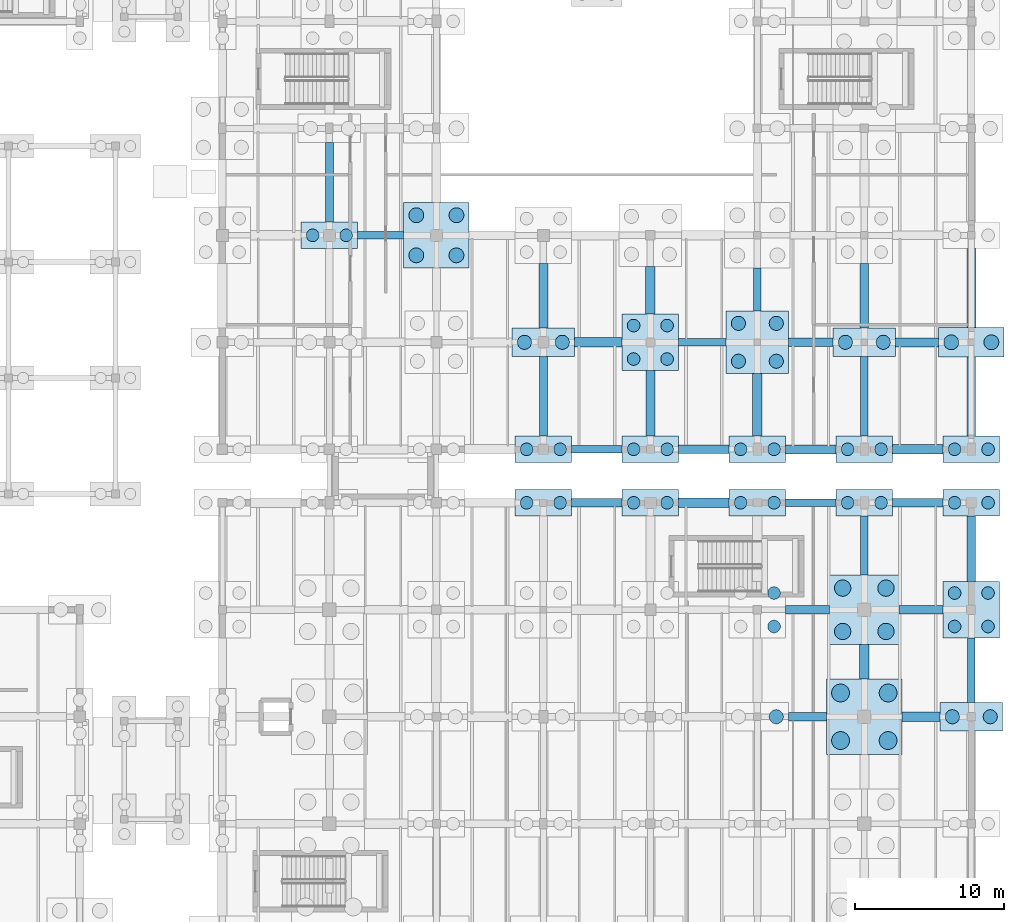
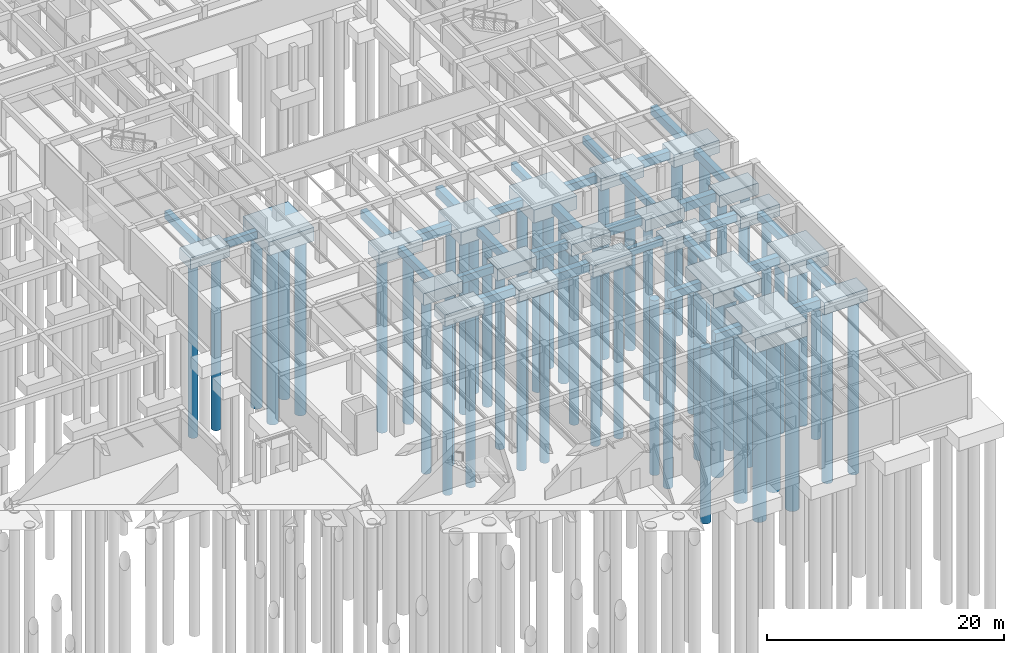
# One storey, part 14 of 63: 57 piles, 53 footings.
"""IFC4 building model written with IfcOpenShell, lengths in metres."""

from ifc_helpers import new_model, si_unit, direction, frame, origin, origin_2d, place, context, subcontext, project, spatial, rectangle, circle, extrude, material, material_profile, profile_set, type_object, element, save


model = new_model("IFC4")

# Units and contexts
model_context = context("Model", 3, precision=1e-05, world=origin(), true_north=direction((0.0, 1.0)))
body_context = subcontext(model_context, "Body", "Model", "MODEL_VIEW")
ifc_project = project(units=[si_unit("LENGTHUNIT", "METRE"), si_unit("AREAUNIT", "SQUARE_METRE"), si_unit("VOLUMEUNIT", "CUBIC_METRE"), si_unit("PLANEANGLEUNIT", "RADIAN"), si_unit("MASSUNIT", "GRAM", prefix="KILO")], contexts=[model_context])

# Site, building, storey
site_placement = place(None, origin())
site = spatial("IfcSite", under=ifc_project, at=site_placement, CompositionType="ELEMENT")
building_placement = place(site_placement, origin())
building = spatial("IfcBuilding", under=site, at=building_placement, Name="Mazaris Harbour Polytechnic", CompositionType="ELEMENT")
storey_placement = place(building_placement, frame((0.0, 0.0, -4.5)))
storey = spatial("IfcBuildingStorey", under=building, at=storey_placement, Name="B1", CompositionType="ELEMENT", Elevation=-4.5)

# Piles
ifc_material_1 = material(Name="Concrete C35/45", Category="concrete")
ifc_material_profile_1 = material_profile(ifc_material_1, circle(Radius=0.5, at=origin_2d()), Name="DIA1000")
ifc_profile_set_1 = profile_set([ifc_material_profile_1], Name="Concrete C35/45")
pile_type_1 = type_object("IfcPileType", Name="Bored Pile 1000", PredefinedType="BORED", material=ifc_profile_set_1)
for number, where, z_axis, x_axis, name in (
    (1, (135.449951171875, 59.85009765625, -1.719970703125), (0.0, 0.0, -1.0), (1.0, 0.0, 0.0), "Bored Pile BP-262-1"),
    (2, (138.14990234375, 59.85009765625, -1.719970703125), (0.0, 0.0, -1.0), (1.0, 0.0, 0.0), "Bored Pile BP-262-2"),
    (3, (135.449951171875, 62.550048828125, -1.719970703125), (0.0, 0.0, -1.0), (1.0, 0.0, 0.0), "Bored Pile BP-262-3"),
    (4, (138.14990234375, 62.550048828125, -1.719970703125), (0.0, 0.0, -1.0), (1.0, 0.0, 0.0), "Bored Pile BP-262-4"),
    (5, (171.449951171875, 54.0, -1.6201171875), (0.0, 0.0, -1.0), (1.0, 0.0, 0.0), "Bored Pile BP-305-1"),
    (6, (174.14990234375, 54.0, -1.6201171875), (0.0, 0.0, -1.0), (1.0, 0.0, 0.0), "Bored Pile BP-305-2"),
):
    element("IfcPile", number, at=place(storey_placement, frame(where, z_axis=z_axis, x_axis=x_axis)), inside=storey, type_object=pile_type_1, Name=name, PredefinedType="BORED", context=body_context, shape_type="SweptSolid", body=[
        extrude(circle(Radius=0.5, at=origin_2d()), origin(), (0.0, 0.0, 1.0), 18.0),
    ])
ifc_material_2 = material(Name="Concrete C35/45", Category="concrete")
ifc_material_profile_2 = material_profile(ifc_material_2, circle(Radius=0.550048828125, at=origin_2d()), Name="DIA1100")
ifc_profile_set_2 = profile_set([ifc_material_profile_2], Name="Concrete C35/45")
pile_type_2 = type_object("IfcPileType", Name="Bored Pile 1100", PredefinedType="BORED", material=ifc_profile_set_2)
for number, where, z_axis, x_axis, name in (
    (7, (164.142578125, 34.54248046875, -1.820068359375), (0.0, 0.0, -1.0), (1.0, 0.0, 0.0), "Bored Pile BP-104-1"),
    (8, (167.0576171875, 34.54248046875, -1.820068359375), (0.0, 0.0, -1.0), (1.0, 0.0, 0.0), "Bored Pile BP-104-2"),
    (9, (164.142578125, 37.45751953125, -1.820068359375), (0.0, 0.0, -1.0), (1.0, 0.0, 0.0), "Bored Pile BP-104-3"),
    (10, (167.0576171875, 37.45751953125, -1.820068359375), (0.0, 0.0, -1.0), (1.0, 0.0, 0.0), "Bored Pile BP-104-4"),
):
    element("IfcPile", number, at=place(storey_placement, frame(where, z_axis=z_axis, x_axis=x_axis)), inside=storey, type_object=pile_type_2, Name=name, PredefinedType="BORED", context=body_context, shape_type="SweptSolid", body=[
        extrude(circle(Radius=0.550048828125, at=origin_2d()), origin(), (0.0, 0.0, 1.0), 18.0),
    ])
ifc_material_3 = material(Name="Concrete C35/45", Category="concrete")
ifc_material_profile_3 = material_profile(ifc_material_3, circle(Radius=0.60009765625, at=origin_2d()), Name="DIA1200")
ifc_profile_set_3 = profile_set([ifc_material_profile_3], Name="Concrete C35/45")
pile_type_3 = type_object("IfcPileType", Name="Bored Pile 1200", PredefinedType="BORED", material=ifc_profile_set_3)
for number, where, z_axis, x_axis, name in (
    (11, (164.0, 27.199951171875, -1.8701171875), (0.0, 0.0, -1.0), (1.0, 0.0, 0.0), "Bored Pile BP-103-1"),
    (12, (167.199951171875, 27.199951171875, -1.8701171875), (0.0, 0.0, -1.0), (1.0, 0.0, 0.0), "Bored Pile BP-103-2"),
    (13, (164.0, 30.39990234375, -1.8701171875), (0.0, 0.0, -1.0), (1.0, 0.0, 0.0), "Bored Pile BP-103-3"),
    (14, (167.199951171875, 30.39990234375, -1.8701171875), (0.0, 0.0, -1.0), (1.0, 0.0, 0.0), "Bored Pile BP-103-4"),
):
    element("IfcPile", number, at=place(storey_placement, frame(where, z_axis=z_axis, x_axis=x_axis)), inside=storey, type_object=pile_type_3, Name=name, PredefinedType="BORED", context=body_context, shape_type="SweptSolid", body=[
        extrude(circle(Radius=0.60009765625, at=origin_2d()), origin(), (0.0, 0.0, 1.0), 18.0),
    ])
ifc_material_4 = material(Name="Concrete C35/45", Category="concrete")
ifc_material_profile_4 = material_profile(ifc_material_4, circle(Radius=0.425048828125, at=origin_2d()), Name="DIA850")
ifc_profile_set_4 = profile_set([ifc_material_profile_4], Name="Concrete C35/45")
pile_type_4 = type_object("IfcPileType", Name="Bored Pile 850", PredefinedType="BORED", material=ifc_profile_set_4)
for number, where, z_axis, x_axis, name in (
    (15, (142.873779296875, 43.199951171875, -1.52001953125), (0.0, 0.0, -1.0), (1.0, 0.0, 0.0), "Bored Pile BP-087-1"),
    (16, (145.126220703125, 43.199951171875, -1.52001953125), (0.0, 0.0, -1.0), (1.0, 0.0, 0.0), "Bored Pile BP-087-2"),
    (17, (150.07373046875, 43.199951171875, -1.52001953125), (0.0, 0.0, -1.0), (1.0, 0.0, 0.0), "Bored Pile BP-093-1"),
    (18, (152.326171875, 43.199951171875, -1.52001953125), (0.0, 0.0, -1.0), (1.0, 0.0, 0.0), "Bored Pile BP-093-2"),
    (19, (159.526123046875, 34.873779296875, -1.6201171875), (0.0, 0.0, -1.0), (1.0, 0.0, 0.0), "Bored Pile BP-098-2"),
    (20, (159.526123046875, 37.126220703125, -1.6201171875), (0.0, 0.0, -1.0), (1.0, 0.0, 0.0), "Bored Pile BP-098-4"),
    (21, (157.273681640625, 43.199951171875, -1.52001953125), (0.0, 0.0, -1.0), (1.0, 0.0, 0.0), "Bored Pile BP-099-1"),
    (22, (159.526123046875, 43.199951171875, -1.52001953125), (0.0, 0.0, -1.0), (1.0, 0.0, 0.0), "Bored Pile BP-099-2"),
    (23, (164.473876953125, 43.199951171875, -1.52001953125), (0.0, 0.0, -1.0), (1.0, 0.0, 0.0), "Bored Pile BP-105-1"),
    (24, (166.726318359375, 43.199951171875, -1.52001953125), (0.0, 0.0, -1.0), (1.0, 0.0, 0.0), "Bored Pile BP-105-2"),
    (25, (171.673828125, 34.873779296875, -1.6201171875), (0.0, 0.0, -1.0), (1.0, 0.0, 0.0), "Bored Pile BP-110-1"),
    (26, (173.92626953125, 34.873779296875, -1.6201171875), (0.0, 0.0, -1.0), (1.0, 0.0, 0.0), "Bored Pile BP-110-2"),
    (27, (171.673828125, 37.126220703125, -1.6201171875), (0.0, 0.0, -1.0), (1.0, 0.0, 0.0), "Bored Pile BP-110-3"),
    (28, (173.92626953125, 37.126220703125, -1.6201171875), (0.0, 0.0, -1.0), (1.0, 0.0, 0.0), "Bored Pile BP-110-4"),
    (29, (171.673828125, 43.199951171875, -1.52001953125), (0.0, 0.0, -1.0), (1.0, 0.0, 0.0), "Bored Pile BP-111-1"),
    (30, (173.92626953125, 43.199951171875, -1.52001953125), (0.0, 0.0, -1.0), (1.0, 0.0, 0.0), "Bored Pile BP-111-2"),
    (31, (128.473876953125, 61.199951171875, -1.52001953125), (0.0, 0.0, -1.0), (1.0, 0.0, 0.0), "Bored Pile BP-252-1"),
    (32, (130.726318359375, 61.199951171875, -1.52001953125), (0.0, 0.0, -1.0), (1.0, 0.0, 0.0), "Bored Pile BP-252-2"),
    (33, (142.873779296875, 46.800048828125, -1.52001953125), (0.0, 0.0, -1.0), (1.0, 0.0, 0.0), "Bored Pile BP-270-1"),
    (34, (145.126220703125, 46.800048828125, -1.52001953125), (0.0, 0.0, -1.0), (1.0, 0.0, 0.0), "Bored Pile BP-270-2"),
    (35, (150.07373046875, 46.800048828125, -1.52001953125), (0.0, 0.0, -1.0), (1.0, 0.0, 0.0), "Bored Pile BP-277-1"),
    (36, (152.326171875, 46.800048828125, -1.52001953125), (0.0, 0.0, -1.0), (1.0, 0.0, 0.0), "Bored Pile BP-277-2"),
    (37, (150.07373046875, 52.873779296875, -1.6201171875), (0.0, 0.0, -1.0), (1.0, 0.0, 0.0), "Bored Pile BP-278-1"),
    (38, (152.326171875, 52.873779296875, -1.6201171875), (0.0, 0.0, -1.0), (1.0, 0.0, 0.0), "Bored Pile BP-278-2"),
    (39, (150.07373046875, 55.126220703125, -1.6201171875), (0.0, 0.0, -1.0), (1.0, 0.0, 0.0), "Bored Pile BP-278-3"),
    (40, (152.326171875, 55.126220703125, -1.6201171875), (0.0, 0.0, -1.0), (1.0, 0.0, 0.0), "Bored Pile BP-278-4"),
    (41, (157.273681640625, 46.800048828125, -1.52001953125), (0.0, 0.0, -1.0), (1.0, 0.0, 0.0), "Bored Pile BP-284-1"),
    (42, (159.526123046875, 46.800048828125, -1.52001953125), (0.0, 0.0, -1.0), (1.0, 0.0, 0.0), "Bored Pile BP-284-2"),
    (43, (164.473876953125, 46.800048828125, -1.52001953125), (0.0, 0.0, -1.0), (1.0, 0.0, 0.0), "Bored Pile BP-294-1"),
    (44, (166.726318359375, 46.800048828125, -1.52001953125), (0.0, 0.0, -1.0), (1.0, 0.0, 0.0), "Bored Pile BP-294-2"),
    (45, (171.673828125, 46.800048828125, -1.52001953125), (0.0, 0.0, -1.0), (1.0, 0.0, 0.0), "Bored Pile BP-304-1"),
    (46, (173.92626953125, 46.800048828125, -1.52001953125), (0.0, 0.0, -1.0), (1.0, 0.0, 0.0), "Bored Pile BP-304-2"),
):
    element("IfcPile", number, at=place(storey_placement, frame(where, z_axis=z_axis, x_axis=x_axis)), inside=storey, type_object=pile_type_4, Name=name, PredefinedType="BORED", context=body_context, shape_type="SweptSolid", body=[
        extrude(circle(Radius=0.425048828125, at=origin_2d()), origin(), (0.0, 0.0, 1.0), 18.0),
    ])
ifc_material_5 = material(Name="Concrete C35/45", Category="concrete")
ifc_material_profile_5 = material_profile(ifc_material_5, circle(Radius=0.47509765625, at=origin_2d()), Name="DIA950")
ifc_profile_set_5 = profile_set([ifc_material_profile_5], Name="Concrete C35/45")
pile_type_5 = type_object("IfcPileType", Name="Bored Pile 950", PredefinedType="BORED", material=ifc_profile_set_5)
for number, where, z_axis, x_axis, name in (
    (47, (159.675048828125, 28.800048828125, -1.570068359375), (0.0, 0.0, -1.0), (1.0, 0.0, 0.0), "Bored Pile BP-097-2"),
    (48, (171.52490234375, 28.800048828125, -1.570068359375), (0.0, 0.0, -1.0), (1.0, 0.0, 0.0), "Bored Pile BP-109-1"),
    (49, (174.074951171875, 28.800048828125, -1.570068359375), (0.0, 0.0, -1.0), (1.0, 0.0, 0.0), "Bored Pile BP-109-2"),
    (50, (142.72509765625, 54.0, -1.570068359375), (0.0, 0.0, -1.0), (1.0, 0.0, 0.0), "Bored Pile BP-271-1"),
    (51, (145.27490234375, 54.0, -1.570068359375), (0.0, 0.0, -1.0), (1.0, 0.0, 0.0), "Bored Pile BP-271-2"),
    (52, (157.125, 52.72509765625, -1.669921875), (0.0, 0.0, -1.0), (1.0, 0.0, 0.0), "Bored Pile BP-285-1"),
    (53, (159.675048828125, 52.72509765625, -1.669921875), (0.0, 0.0, -1.0), (1.0, 0.0, 0.0), "Bored Pile BP-285-2"),
    (54, (157.125, 55.27490234375, -1.669921875), (0.0, 0.0, -1.0), (1.0, 0.0, 0.0), "Bored Pile BP-285-3"),
    (55, (159.675048828125, 55.27490234375, -1.669921875), (0.0, 0.0, -1.0), (1.0, 0.0, 0.0), "Bored Pile BP-285-4"),
    (56, (164.324951171875, 54.0, -1.570068359375), (0.0, 0.0, -1.0), (1.0, 0.0, 0.0), "Bored Pile BP-295-1"),
    (57, (166.875, 54.0, -1.570068359375), (0.0, 0.0, -1.0), (1.0, 0.0, 0.0), "Bored Pile BP-295-2"),
):
    element("IfcPile", number, at=place(storey_placement, frame(where, z_axis=z_axis, x_axis=x_axis)), inside=storey, type_object=pile_type_5, Name=name, PredefinedType="BORED", context=body_context, shape_type="SweptSolid", body=[
        extrude(circle(Radius=0.47509765625, at=origin_2d()), origin(), (0.0, 0.0, 1.0), 18.0),
    ])

# Footings
ifc_material_6 = material(Name="Concrete C35/45", Category="concrete")
footing_type_1 = type_object("IfcFootingType", Name="Pile Cap 3800x1800x1200", PredefinedType="PILE_CAP", material=ifc_material_6)
for number, where, z_axis, x_axis, name in (
    (58, (144.0, 43.199951171875, -1.6201171875), (0.0, 0.0, 1.0), (1.0, 0.0, 0.0), "Pile Cap CAP-087"),
    (59, (151.199951171875, 43.199951171875, -1.6201171875), (0.0, 0.0, 1.0), (1.0, 0.0, 0.0), "Pile Cap CAP-093"),
    (60, (158.39990234375, 43.199951171875, -1.6201171875), (0.0, 0.0, 1.0), (1.0, 0.0, 0.0), "Pile Cap CAP-099"),
    (61, (165.60009765625, 43.199951171875, -1.6201171875), (0.0, 0.0, 1.0), (1.0, 0.0, 0.0), "Pile Cap CAP-105"),
    (62, (172.800048828125, 43.199951171875, -1.6201171875), (0.0, 0.0, 1.0), (1.0, 0.0, 0.0), "Pile Cap CAP-111"),
    (63, (129.60009765625, 61.199951171875, -1.6201171875), (0.0, 0.0, 1.0), (1.0, 0.0, 0.0), "Pile Cap CAP-252"),
    (64, (144.0, 46.800048828125, -1.6201171875), (0.0, 0.0, 1.0), (1.0, 0.0, 0.0), "Pile Cap CAP-270"),
    (65, (151.199951171875, 46.800048828125, -1.6201171875), (0.0, 0.0, 1.0), (1.0, 0.0, 0.0), "Pile Cap CAP-277"),
    (66, (158.39990234375, 46.800048828125, -1.6201171875), (0.0, 0.0, 1.0), (1.0, 0.0, 0.0), "Pile Cap CAP-284"),
    (67, (165.60009765625, 46.800048828125, -1.6201171875), (0.0, 0.0, 1.0), (1.0, 0.0, 0.0), "Pile Cap CAP-294"),
    (68, (172.800048828125, 46.800048828125, -1.6201171875), (0.0, 0.0, 1.0), (1.0, 0.0, 0.0), "Pile Cap CAP-304"),
):
    element("IfcFooting", number, at=place(storey_placement, frame(where, z_axis=z_axis, x_axis=x_axis)), inside=storey, type_object=footing_type_1, Name=name, PredefinedType="PILE_CAP", context=body_context, shape_type="SweptSolid", body=[
        extrude(rectangle(XDim=3.800048828125, YDim=1.800048828125, at=origin_2d()), origin(), (0.0, 0.0, 1.0), 1.199951171875),
    ])
ifc_material_7 = material(Name="Concrete C35/45", Category="concrete")
footing_type_2 = type_object("IfcFootingType", Name="Pile Cap 3800x3800x1300", PredefinedType="PILE_CAP", material=ifc_material_7)
for number, where, z_axis, x_axis, name in (
    (69, (172.800048828125, 36.0, -1.72021484375), (0.0, 0.0, 1.0), (1.0, 0.0, 0.0), "Pile Cap CAP-110"),
    (70, (151.199951171875, 54.0, -1.72021484375), (0.0, 0.0, 1.0), (1.0, 0.0, 0.0), "Pile Cap CAP-278"),
):
    element("IfcFooting", number, at=place(storey_placement, frame(where, z_axis=z_axis, x_axis=x_axis)), inside=storey, type_object=footing_type_2, Name=name, PredefinedType="PILE_CAP", context=body_context, shape_type="SweptSolid", body=[
        extrude(rectangle(XDim=3.800048828125, YDim=3.800048828125, at=origin_2d()), origin(), (0.0, 0.0, 1.0), 1.300048828125),
    ])
ifc_material_8 = material(Name="Concrete C35/45", Category="concrete")
footing_type_3 = type_object("IfcFootingType", Name="Pile Cap 4200x1900x1250", PredefinedType="PILE_CAP", material=ifc_material_8)
for number, where, z_axis, x_axis, name in (
    (71, (172.800048828125, 28.800048828125, -1.669921875), (0.0, 0.0, 1.0), (1.0, 0.0, 0.0), "Pile Cap CAP-109"),
    (72, (144.0, 54.0, -1.669921875), (0.0, 0.0, 1.0), (1.0, 0.0, 0.0), "Pile Cap CAP-271"),
    (73, (165.60009765625, 54.0, -1.669921875), (0.0, 0.0, 1.0), (1.0, 0.0, 0.0), "Pile Cap CAP-295"),
):
    element("IfcFooting", number, at=place(storey_placement, frame(where, z_axis=z_axis, x_axis=x_axis)), inside=storey, type_object=footing_type_3, Name=name, PredefinedType="PILE_CAP", context=body_context, shape_type="SweptSolid", body=[
        extrude(rectangle(XDim=4.199951171875, YDim=1.89990234375, at=origin_2d()), origin(), (0.0, 0.0, 1.0), 1.25),
    ])
ifc_material_9 = material(Name="Concrete C35/45", Category="concrete")
footing_type_4 = type_object("IfcFootingType", Name="Pile Cap 4200x4200x1350", PredefinedType="PILE_CAP", material=ifc_material_9)
footing_1_placement = place(storey_placement, frame((158.39990234375, 54.0, -1.77001953125), z_axis=(0.0, 0.0, 1.0), x_axis=(1.0, 0.0, 0.0)))
element("IfcFooting", 74, at=footing_1_placement, inside=storey, type_object=footing_type_4, Name="Pile Cap CAP-285", PredefinedType="PILE_CAP", context=body_context, shape_type="SweptSolid", body=[
    extrude(rectangle(XDim=4.199951171875, YDim=4.199951171875, at=origin_2d()), origin(), (0.0, 0.0, 1.0), 1.35009765625),
])
ifc_material_10 = material(Name="Concrete C35/45", Category="concrete")
footing_type_5 = type_object("IfcFootingType", Name="Pile Cap 4400x2000x1300", PredefinedType="PILE_CAP", material=ifc_material_10)
footing_2_placement = place(storey_placement, frame((172.800048828125, 54.0, -1.72021484375), z_axis=(0.0, 0.0, 1.0), x_axis=(1.0, 0.0, 0.0)))
element("IfcFooting", 75, at=footing_2_placement, inside=storey, type_object=footing_type_5, Name="Pile Cap CAP-305", PredefinedType="PILE_CAP", context=body_context, shape_type="SweptSolid", body=[
    extrude(rectangle(XDim=4.39990234375, YDim=2.0, at=origin_2d()), origin(), (0.0, 0.0, 1.0), 1.300048828125),
])
ifc_material_11 = material(Name="Concrete C35/45", Category="concrete")
footing_type_6 = type_object("IfcFootingType", Name="Pile Cap 4400x4400x1400", PredefinedType="PILE_CAP", material=ifc_material_11)
footing_3_placement = place(storey_placement, frame((136.800048828125, 61.199951171875, -1.820068359375), z_axis=(0.0, 0.0, 1.0), x_axis=(1.0, 0.0, 0.0)))
element("IfcFooting", 76, at=footing_3_placement, inside=storey, type_object=footing_type_6, Name="Pile Cap CAP-262", PredefinedType="PILE_CAP", context=body_context, shape_type="SweptSolid", body=[
    extrude(rectangle(XDim=4.39990234375, YDim=4.39990234375, at=origin_2d()), origin(), (0.0, 0.0, 1.0), 1.39990234375),
])
ifc_material_12 = material(Name="Concrete C35/45", Category="concrete")
footing_type_7 = type_object("IfcFootingType", Name="Pile Cap 4700x4700x1500", PredefinedType="PILE_CAP", material=ifc_material_12)
footing_4_placement = place(storey_placement, frame((165.60009765625, 36.0, -1.919921875), z_axis=(0.0, 0.0, 1.0), x_axis=(1.0, 0.0, 0.0)))
element("IfcFooting", 77, at=footing_4_placement, inside=storey, type_object=footing_type_7, Name="Pile Cap CAP-104", PredefinedType="PILE_CAP", context=body_context, shape_type="SweptSolid", body=[
    extrude(rectangle(XDim=4.699951171875, YDim=4.699951171875, at=origin_2d()), origin(), (0.0, 0.0, 1.0), 1.5),
])
ifc_material_13 = material(Name="Concrete C35/45", Category="concrete")
footing_type_8 = type_object("IfcFootingType", Name="Pile Cap 5100x5100x1550", PredefinedType="PILE_CAP", material=ifc_material_13)
footing_5_placement = place(storey_placement, frame((165.60009765625, 28.800048828125, -1.97021484375), z_axis=(0.0, 0.0, 1.0), x_axis=(1.0, 0.0, 0.0)))
element("IfcFooting", 78, at=footing_5_placement, inside=storey, type_object=footing_type_8, Name="Pile Cap CAP-103", PredefinedType="PILE_CAP", context=body_context, shape_type="SweptSolid", body=[
    extrude(rectangle(XDim=5.10009765625, YDim=5.10009765625, at=origin_2d()), origin(), (0.0, 0.0, 1.0), 1.550048828125),
])
ifc_material_14 = material(Name="Concrete C35/45", Category="concrete")
ifc_material_profile_6 = material_profile(ifc_material_14, rectangle(XDim=0.5, YDim=0.75, at=origin_2d()), Name="RECT500x750")
ifc_profile_set_6 = profile_set([ifc_material_profile_6], Name="Concrete C35/45")
footing_type_9 = type_object("IfcFootingType", Name="Seismic Tie Beam 500x750", PredefinedType="FOOTING_BEAM", material=ifc_profile_set_6)
footing_6_placement = place(storey_placement, frame((160.300048828125, 43.199951171875, -0.8349609375), z_axis=(1.0, 0.0, 0.0), x_axis=(0.0, 1.0, 0.0)))
element("IfcFooting", 79, at=footing_6_placement, inside=storey, type_object=footing_type_9, Name="Seismic Tie Beam FTB-144", PredefinedType="FOOTING_BEAM", context=body_context, shape_type="SweptSolid", body=[
    extrude(rectangle(XDim=0.5, YDim=0.75, at=origin_2d()), origin(), (0.0, 0.0, 1.0), 3.39990234375),
])
footing_7_placement = place(storey_placement, frame((165.60009765625, 38.35009765625, -0.8349609375), z_axis=(0.0, 1.0, 0.0), x_axis=(-1.0, 0.0, 0.0)))
element("IfcFooting", 80, at=footing_7_placement, inside=storey, type_object=footing_type_9, Name="Seismic Tie Beam FTB-180", PredefinedType="FOOTING_BEAM", context=body_context, shape_type="SweptSolid", body=[
    extrude(rectangle(XDim=0.5, YDim=0.75, at=origin_2d()), origin(), (0.0, 0.0, 1.0), 3.949951171875),
])
footing_8_placement = place(storey_placement, frame((172.800048828125, 29.75, -0.8349609375), z_axis=(0.0, 1.0, 0.0), x_axis=(-1.0, 0.0, 0.0)))
element("IfcFooting", 81, at=footing_8_placement, inside=storey, type_object=footing_type_9, Name="Seismic Tie Beam FTB-184", PredefinedType="FOOTING_BEAM", context=body_context, shape_type="SweptSolid", body=[
    extrude(rectangle(XDim=0.5, YDim=0.75, at=origin_2d()), origin(), (0.0, 0.0, 1.0), 4.35009765625),
])
footing_9_placement = place(storey_placement, frame((145.89990234375, 46.800048828125, -0.8349609375), z_axis=(1.0, 0.0, 0.0), x_axis=(0.0, 1.0, 0.0)))
element("IfcFooting", 82, at=footing_9_placement, inside=storey, type_object=footing_type_9, Name="Seismic Tie Beam FTB-408", PredefinedType="FOOTING_BEAM", context=body_context, shape_type="SweptSolid", body=[
    extrude(rectangle(XDim=0.5, YDim=0.75, at=origin_2d()), origin(), (0.0, 0.0, 1.0), 3.400146484375),
])
footing_10_placement = place(storey_placement, frame((153.10009765625, 54.0, -0.8349609375), z_axis=(1.0, 0.0, 0.0), x_axis=(0.0, 1.0, 0.0)))
element("IfcFooting", 83, at=footing_10_placement, inside=storey, type_object=footing_type_9, Name="Seismic Tie Beam FTB-416", PredefinedType="FOOTING_BEAM", context=body_context, shape_type="SweptSolid", body=[
    extrude(rectangle(XDim=0.5, YDim=0.75, at=origin_2d()), origin(), (0.0, 0.0, 1.0), 3.199951171875),
])
footing_11_placement = place(storey_placement, frame((131.5, 61.199951171875, -0.8349609375), z_axis=(1.0, 0.0, 0.0), x_axis=(0.0, 1.0, 0.0)))
element("IfcFooting", 84, at=footing_11_placement, inside=storey, type_object=footing_type_9, Name="Seismic Tie Beam FTB-420", PredefinedType="FOOTING_BEAM", context=body_context, shape_type="SweptSolid", body=[
    extrude(rectangle(XDim=0.5, YDim=0.75, at=origin_2d()), origin(), (0.0, 0.0, 1.0), 3.10009765625),
])
footing_12_placement = place(storey_placement, frame((158.39990234375, 56.10009765625, -0.8349609375), z_axis=(0.0, 1.0, 0.0), x_axis=(-1.0, 0.0, 0.0)))
element("IfcFooting", 85, at=footing_12_placement, inside=storey, type_object=footing_type_9, Name="Seismic Tie Beam FTB-504", PredefinedType="FOOTING_BEAM", context=body_context, shape_type="SweptSolid", body=[
    extrude(rectangle(XDim=0.5, YDim=0.75, at=origin_2d()), origin(), (0.0, 0.0, 1.0), 2.89990234375),
])
footing_13_placement = place(storey_placement, frame((165.60009765625, 47.699951171875, -0.8349609375), z_axis=(0.0, 1.0, 0.0), x_axis=(-1.0, 0.0, 0.0)))
element("IfcFooting", 86, at=footing_13_placement, inside=storey, type_object=footing_type_9, Name="Seismic Tie Beam FTB-512", PredefinedType="FOOTING_BEAM", context=body_context, shape_type="SweptSolid", body=[
    extrude(rectangle(XDim=0.5, YDim=0.75, at=origin_2d()), origin(), (0.0, 0.0, 1.0), 5.35009765625),
])
ifc_material_15 = material(Name="Concrete C35/45", Category="concrete")
ifc_material_profile_7 = material_profile(ifc_material_15, rectangle(XDim=0.550048828125, YDim=0.800048828125, at=origin_2d()), Name="RECT550x800")
ifc_profile_set_7 = profile_set([ifc_material_profile_7], Name="Concrete C35/45")
footing_type_10 = type_object("IfcFootingType", Name="Seismic Tie Beam 550x800", PredefinedType="FOOTING_BEAM", material=ifc_profile_set_7)
footing_14_placement = place(storey_placement, frame((160.300048828125, 36.0, -0.860107421875), z_axis=(1.0, 0.0, 0.0), x_axis=(0.0, 1.0, 0.0)))
element("IfcFooting", 87, at=footing_14_placement, inside=storey, type_object=footing_type_10, Name="Seismic Tie Beam FTB-137", PredefinedType="FOOTING_BEAM", context=body_context, shape_type="SweptSolid", body=[
    extrude(rectangle(XDim=0.550048828125, YDim=0.800048828125, at=origin_2d()), origin(), (0.0, 0.0, 1.0), 2.949951171875),
])
footing_15_placement = place(storey_placement, frame((167.5, 43.199951171875, -0.860107421875), z_axis=(1.0, 0.0, 0.0), x_axis=(0.0, 1.0, 0.0)))
element("IfcFooting", 88, at=footing_15_placement, inside=storey, type_object=footing_type_10, Name="Seismic Tie Beam FTB-145", PredefinedType="FOOTING_BEAM", context=body_context, shape_type="SweptSolid", body=[
    extrude(rectangle(XDim=0.550048828125, YDim=0.800048828125, at=origin_2d()), origin(), (0.0, 0.0, 1.0), 3.39990234375),
])
footing_16_placement = place(storey_placement, frame((172.800048828125, 37.89990234375, -0.860107421875), z_axis=(0.0, 1.0, 0.0), x_axis=(-1.0, 0.0, 0.0)))
element("IfcFooting", 89, at=footing_16_placement, inside=storey, type_object=footing_type_10, Name="Seismic Tie Beam FTB-185", PredefinedType="FOOTING_BEAM", context=body_context, shape_type="SweptSolid", body=[
    extrude(rectangle(XDim=0.550048828125, YDim=0.800048828125, at=origin_2d()), origin(), (0.0, 0.0, 1.0), 4.400146484375),
])
footing_17_placement = place(storey_placement, frame((153.10009765625, 46.800048828125, -0.860107421875), z_axis=(1.0, 0.0, 0.0), x_axis=(0.0, 1.0, 0.0)))
element("IfcFooting", 90, at=footing_17_placement, inside=storey, type_object=footing_type_10, Name="Seismic Tie Beam FTB-409", PredefinedType="FOOTING_BEAM", context=body_context, shape_type="SweptSolid", body=[
    extrude(rectangle(XDim=0.550048828125, YDim=0.800048828125, at=origin_2d()), origin(), (0.0, 0.0, 1.0), 3.39990234375),
])
footing_18_placement = place(storey_placement, frame((160.5, 54.0, -0.860107421875), z_axis=(1.0, 0.0, 0.0), x_axis=(0.0, 1.0, 0.0)))
element("IfcFooting", 91, at=footing_18_placement, inside=storey, type_object=footing_type_10, Name="Seismic Tie Beam FTB-417", PredefinedType="FOOTING_BEAM", context=body_context, shape_type="SweptSolid", body=[
    extrude(rectangle(XDim=0.550048828125, YDim=0.800048828125, at=origin_2d()), origin(), (0.0, 0.0, 1.0), 3.0),
])
footing_19_placement = place(storey_placement, frame((129.60009765625, 62.10009765625, -0.860107421875), z_axis=(0.0, 1.0, 0.0), x_axis=(-1.0, 0.0, 0.0)))
element("IfcFooting", 92, at=footing_19_placement, inside=storey, type_object=footing_type_10, Name="Seismic Tie Beam FTB-477", PredefinedType="FOOTING_BEAM", context=body_context, shape_type="SweptSolid", body=[
    extrude(rectangle(XDim=0.550048828125, YDim=0.800048828125, at=origin_2d()), origin(), (0.0, 0.0, 1.0), 5.349853515625),
])
footing_20_placement = place(storey_placement, frame((144.0, 47.699951171875, -0.860107421875), z_axis=(0.0, 1.0, 0.0), x_axis=(-1.0, 0.0, 0.0)))
element("IfcFooting", 93, at=footing_20_placement, inside=storey, type_object=footing_type_10, Name="Seismic Tie Beam FTB-493", PredefinedType="FOOTING_BEAM", context=body_context, shape_type="SweptSolid", body=[
    extrude(rectangle(XDim=0.550048828125, YDim=0.800048828125, at=origin_2d()), origin(), (0.0, 0.0, 1.0), 5.35009765625),
])
footing_21_placement = place(storey_placement, frame((165.60009765625, 54.949951171875, -0.860107421875), z_axis=(0.0, 1.0, 0.0), x_axis=(-1.0, 0.0, 0.0)))
element("IfcFooting", 94, at=footing_21_placement, inside=storey, type_object=footing_type_10, Name="Seismic Tie Beam FTB-513", PredefinedType="FOOTING_BEAM", context=body_context, shape_type="SweptSolid", body=[
    extrude(rectangle(XDim=0.550048828125, YDim=0.800048828125, at=origin_2d()), origin(), (0.0, 0.0, 1.0), 4.35009765625),
])
footing_22_placement = place(storey_placement, frame((172.800048828125, 47.699951171875, -0.860107421875), z_axis=(0.0, 1.0, 0.0), x_axis=(-1.0, 0.0, 0.0)))
element("IfcFooting", 95, at=footing_22_placement, inside=storey, type_object=footing_type_10, Name="Seismic Tie Beam FTB-521", PredefinedType="FOOTING_BEAM", context=body_context, shape_type="SweptSolid", body=[
    extrude(rectangle(XDim=0.550048828125, YDim=0.800048828125, at=origin_2d()), origin(), (0.0, 0.0, 1.0), 5.300048828125),
])
ifc_material_16 = material(Name="Concrete C35/45", Category="concrete")
ifc_material_profile_8 = material_profile(ifc_material_16, rectangle(XDim=0.60009765625, YDim=0.85009765625, at=origin_2d()), Name="RECT600x850")
ifc_profile_set_8 = profile_set([ifc_material_profile_8], Name="Concrete C35/45")
footing_type_11 = type_object("IfcFootingType", Name="Seismic Tie Beam 600x850", PredefinedType="FOOTING_BEAM", material=ifc_profile_set_8)
footing_23_placement = place(storey_placement, frame((160.5, 28.800048828125, -0.885009765625), z_axis=(1.0, 0.0, 0.0), x_axis=(0.0, 1.0, 0.0)))
element("IfcFooting", 96, at=footing_23_placement, inside=storey, type_object=footing_type_11, Name="Seismic Tie Beam FTB-130", PredefinedType="FOOTING_BEAM", context=body_context, shape_type="SweptSolid", body=[
    extrude(rectangle(XDim=0.60009765625, YDim=0.85009765625, at=origin_2d()), origin(), (0.0, 0.0, 1.0), 2.550048828125),
])
footing_24_placement = place(storey_placement, frame((167.949951171875, 36.0, -0.885009765625), z_axis=(1.0, 0.0, 0.0), x_axis=(0.0, 1.0, 0.0)))
element("IfcFooting", 97, at=footing_24_placement, inside=storey, type_object=footing_type_11, Name="Seismic Tie Beam FTB-138", PredefinedType="FOOTING_BEAM", context=body_context, shape_type="SweptSolid", body=[
    extrude(rectangle(XDim=0.60009765625, YDim=0.85009765625, at=origin_2d()), origin(), (0.0, 0.0, 1.0), 2.949951171875),
])
footing_25_placement = place(storey_placement, frame((145.89990234375, 43.199951171875, -0.885009765625), z_axis=(1.0, 0.0, 0.0), x_axis=(0.0, 1.0, 0.0)))
element("IfcFooting", 98, at=footing_25_placement, inside=storey, type_object=footing_type_11, Name="Seismic Tie Beam FTB-142", PredefinedType="FOOTING_BEAM", context=body_context, shape_type="SweptSolid", body=[
    extrude(rectangle(XDim=0.60009765625, YDim=0.85009765625, at=origin_2d()), origin(), (0.0, 0.0, 1.0), 3.400146484375),
])
footing_26_placement = place(storey_placement, frame((160.300048828125, 46.800048828125, -0.885009765625), z_axis=(1.0, 0.0, 0.0), x_axis=(0.0, 1.0, 0.0)))
element("IfcFooting", 99, at=footing_26_placement, inside=storey, type_object=footing_type_11, Name="Seismic Tie Beam FTB-410", PredefinedType="FOOTING_BEAM", context=body_context, shape_type="SweptSolid", body=[
    extrude(rectangle(XDim=0.60009765625, YDim=0.85009765625, at=origin_2d()), origin(), (0.0, 0.0, 1.0), 3.39990234375),
])
footing_27_placement = place(storey_placement, frame((167.699951171875, 54.0, -0.885009765625), z_axis=(1.0, 0.0, 0.0), x_axis=(0.0, 1.0, 0.0)))
element("IfcFooting", 100, at=footing_27_placement, inside=storey, type_object=footing_type_11, Name="Seismic Tie Beam FTB-418", PredefinedType="FOOTING_BEAM", context=body_context, shape_type="SweptSolid", body=[
    extrude(rectangle(XDim=0.60009765625, YDim=0.85009765625, at=origin_2d()), origin(), (0.0, 0.0, 1.0), 2.900146484375),
])
footing_28_placement = place(storey_placement, frame((144.0, 54.949951171875, -0.885009765625), z_axis=(0.0, 1.0, 0.0), x_axis=(-1.0, 0.0, 0.0)))
element("IfcFooting", 101, at=footing_28_placement, inside=storey, type_object=footing_type_11, Name="Seismic Tie Beam FTB-494", PredefinedType="FOOTING_BEAM", context=body_context, shape_type="SweptSolid", body=[
    extrude(rectangle(XDim=0.60009765625, YDim=0.85009765625, at=origin_2d()), origin(), (0.0, 0.0, 1.0), 4.35009765625),
])
footing_29_placement = place(storey_placement, frame((151.199951171875, 47.699951171875, -0.885009765625), z_axis=(0.0, 1.0, 0.0), x_axis=(-1.0, 0.0, 0.0)))
element("IfcFooting", 102, at=footing_29_placement, inside=storey, type_object=footing_type_11, Name="Seismic Tie Beam FTB-498", PredefinedType="FOOTING_BEAM", context=body_context, shape_type="SweptSolid", body=[
    extrude(rectangle(XDim=0.60009765625, YDim=0.85009765625, at=origin_2d()), origin(), (0.0, 0.0, 1.0), 4.400146484375),
])
footing_30_placement = place(storey_placement, frame((172.800048828125, 55.0, -0.885009765625), z_axis=(0.0, 1.0, 0.0), x_axis=(-1.0, 0.0, 0.0)))
element("IfcFooting", 103, at=footing_30_placement, inside=storey, type_object=footing_type_11, Name="Seismic Tie Beam FTB-522", PredefinedType="FOOTING_BEAM", context=body_context, shape_type="SweptSolid", body=[
    extrude(rectangle(XDim=0.60009765625, YDim=0.85009765625, at=origin_2d()), origin(), (0.0, 0.0, 1.0), 5.300048828125),
])
ifc_material_17 = material(Name="Concrete C35/45", Category="concrete")
ifc_material_profile_9 = material_profile(ifc_material_17, rectangle(XDim=0.64990234375, YDim=0.89990234375, at=origin_2d()), Name="RECT650x900")
ifc_profile_set_9 = profile_set([ifc_material_profile_9], Name="Concrete C35/45")
footing_type_12 = type_object("IfcFootingType", Name="Seismic Tie Beam 650x900", PredefinedType="FOOTING_BEAM", material=ifc_profile_set_9)
footing_31_placement = place(storey_placement, frame((168.14990234375, 28.800048828125, -0.909912109375), z_axis=(1.0, 0.0, 0.0), x_axis=(0.0, 1.0, 0.0)))
element("IfcFooting", 104, at=footing_31_placement, inside=storey, type_object=footing_type_12, Name="Seismic Tie Beam FTB-131", PredefinedType="FOOTING_BEAM", context=body_context, shape_type="SweptSolid", body=[
    extrude(rectangle(XDim=0.64990234375, YDim=0.89990234375, at=origin_2d()), origin(), (0.0, 0.0, 1.0), 2.550048828125),
])
footing_32_placement = place(storey_placement, frame((153.10009765625, 43.199951171875, -0.909912109375), z_axis=(1.0, 0.0, 0.0), x_axis=(0.0, 1.0, 0.0)))
element("IfcFooting", 105, at=footing_32_placement, inside=storey, type_object=footing_type_12, Name="Seismic Tie Beam FTB-143", PredefinedType="FOOTING_BEAM", context=body_context, shape_type="SweptSolid", body=[
    extrude(rectangle(XDim=0.64990234375, YDim=0.89990234375, at=origin_2d()), origin(), (0.0, 0.0, 1.0), 3.39990234375),
])
footing_33_placement = place(storey_placement, frame((165.60009765625, 31.35009765625, -0.909912109375), z_axis=(0.0, 1.0, 0.0), x_axis=(-1.0, 0.0, 0.0)))
element("IfcFooting", 106, at=footing_33_placement, inside=storey, type_object=footing_type_12, Name="Seismic Tie Beam FTB-179", PredefinedType="FOOTING_BEAM", context=body_context, shape_type="SweptSolid", body=[
    extrude(rectangle(XDim=0.64990234375, YDim=0.89990234375, at=origin_2d()), origin(), (0.0, 0.0, 1.0), 2.2998046875),
])
footing_34_placement = place(storey_placement, frame((167.5, 46.800048828125, -0.909912109375), z_axis=(1.0, 0.0, 0.0), x_axis=(0.0, 1.0, 0.0)))
element("IfcFooting", 107, at=footing_34_placement, inside=storey, type_object=footing_type_12, Name="Seismic Tie Beam FTB-411", PredefinedType="FOOTING_BEAM", context=body_context, shape_type="SweptSolid", body=[
    extrude(rectangle(XDim=0.64990234375, YDim=0.89990234375, at=origin_2d()), origin(), (0.0, 0.0, 1.0), 3.39990234375),
])
footing_35_placement = place(storey_placement, frame((146.10009765625, 54.0, -0.909912109375), z_axis=(1.0, 0.0, 0.0), x_axis=(0.0, 1.0, 0.0)))
element("IfcFooting", 108, at=footing_35_placement, inside=storey, type_object=footing_type_12, Name="Seismic Tie Beam FTB-415", PredefinedType="FOOTING_BEAM", context=body_context, shape_type="SweptSolid", body=[
    extrude(rectangle(XDim=0.64990234375, YDim=0.89990234375, at=origin_2d()), origin(), (0.0, 0.0, 1.0), 3.199951171875),
])
footing_36_placement = place(storey_placement, frame((151.199951171875, 55.89990234375, -0.909912109375), z_axis=(0.0, 1.0, 0.0), x_axis=(-1.0, 0.0, 0.0)))
element("IfcFooting", 109, at=footing_36_placement, inside=storey, type_object=footing_type_12, Name="Seismic Tie Beam FTB-499", PredefinedType="FOOTING_BEAM", context=body_context, shape_type="SweptSolid", body=[
    extrude(rectangle(XDim=0.64990234375, YDim=0.89990234375, at=origin_2d()), origin(), (0.0, 0.0, 1.0), 3.2001953125),
])
footing_37_placement = place(storey_placement, frame((158.39990234375, 47.699951171875, -0.909912109375), z_axis=(0.0, 1.0, 0.0), x_axis=(-1.0, 0.0, 0.0)))
element("IfcFooting", 110, at=footing_37_placement, inside=storey, type_object=footing_type_12, Name="Seismic Tie Beam FTB-503", PredefinedType="FOOTING_BEAM", context=body_context, shape_type="SweptSolid", body=[
    extrude(rectangle(XDim=0.64990234375, YDim=0.89990234375, at=origin_2d()), origin(), (0.0, 0.0, 1.0), 4.199951171875),
])

save(model, "model.ifc")
